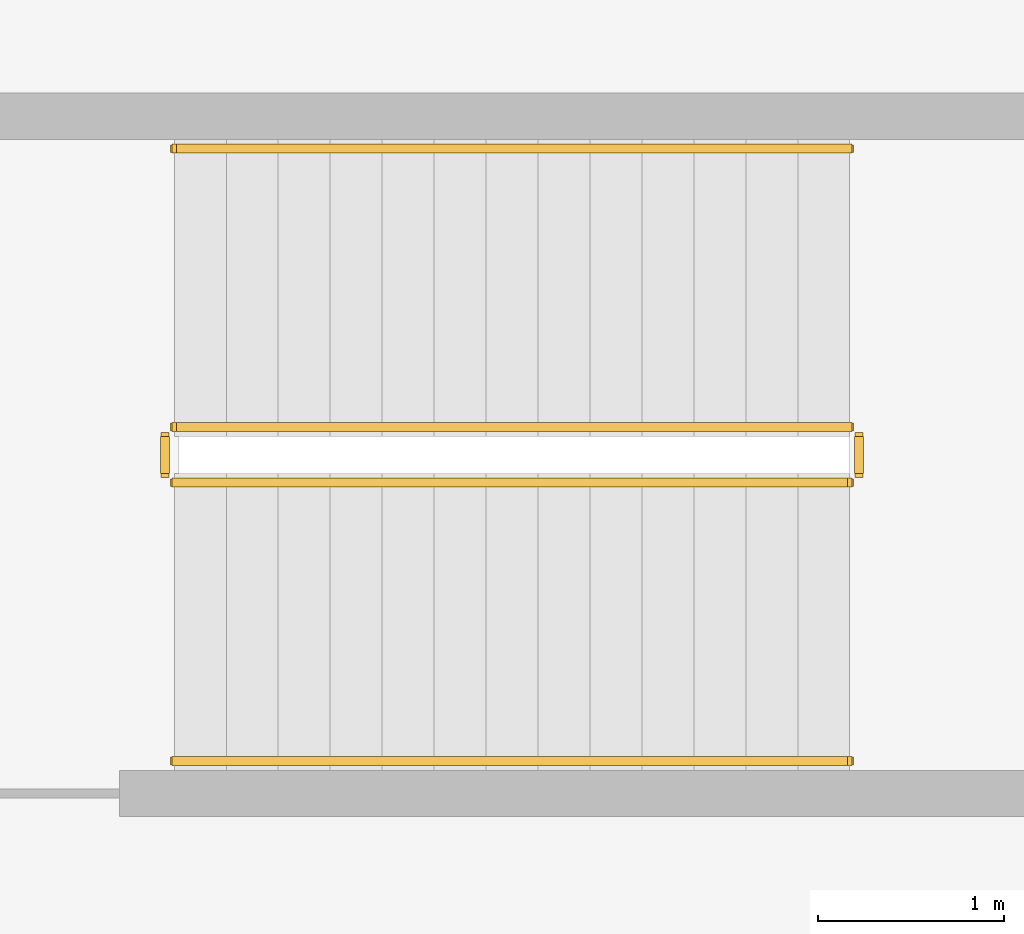
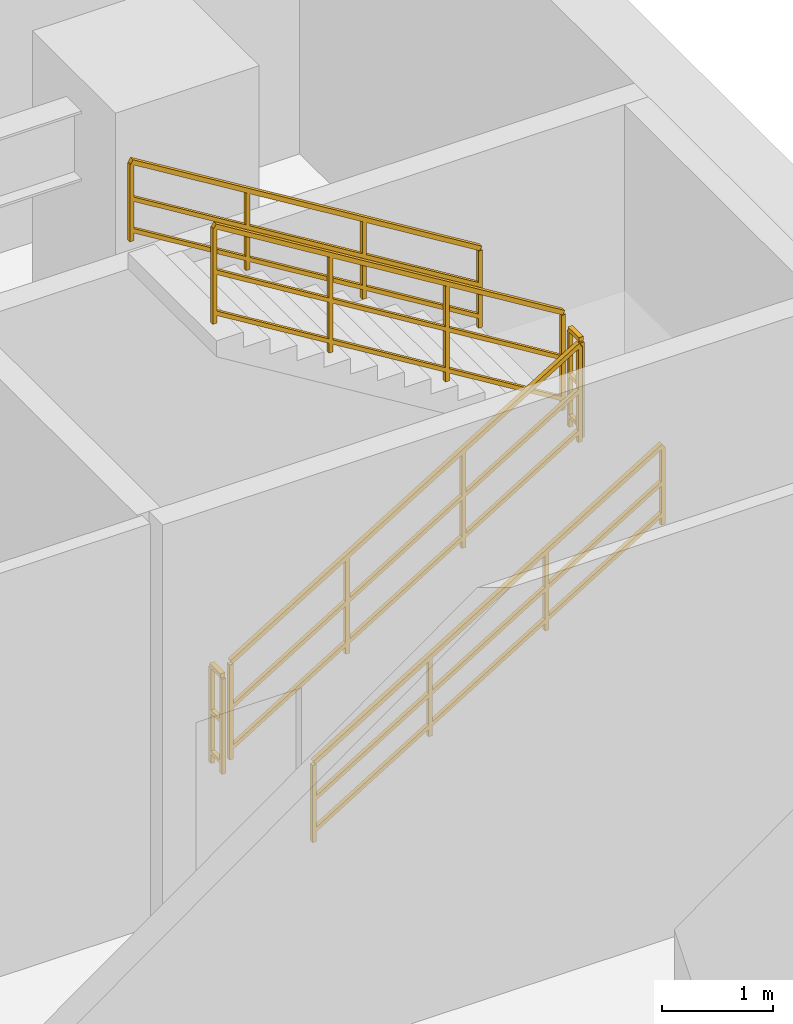
# One storey, part 7 of 7: 6 railings.
"""IFC4 building model written with IfcOpenShell, lengths in metres."""

from ifc_helpers import new_model, si_unit, direction, frame, origin, origin_2d, place, context, subcontext, project, spatial, rectangle, extrude, material, type_object, element, save


model = new_model("IFC4")

# Units and contexts
model_context = context("Model", 3, precision=1e-05, world=origin(), true_north=direction((0.0, 1.0)))
body_context = subcontext(model_context, "Body", "Model", "MODEL_VIEW")
ifc_project = project(units=[si_unit("LENGTHUNIT", "METRE"), si_unit("AREAUNIT", "SQUARE_METRE"), si_unit("VOLUMEUNIT", "CUBIC_METRE"), si_unit("PLANEANGLEUNIT", "RADIAN"), si_unit("MASSUNIT", "GRAM", prefix="KILO")], contexts=[model_context])

# Site, building, storey
site_placement = place(None, origin())
site = spatial("IfcSite", under=ifc_project, at=site_placement, CompositionType="ELEMENT")
building_placement = place(site_placement, origin())
building = spatial("IfcBuilding", under=site, at=building_placement, Name="Zulverin Broadcast Headquarters", CompositionType="ELEMENT")
storey_placement = place(building_placement, frame((0.0, 0.0, -4.800048828125)))
storey = spatial("IfcBuildingStorey", under=building, at=storey_placement, Name="B1", CompositionType="ELEMENT", Elevation=-4.800048828125)

# Railings
ifc_material_1 = material(Name="Painted galvanized steel tubular guardrail S355JR", Category="steel")
railing_type_1 = type_object("IfcRailingType", Name="RL-ST-GUARD", PredefinedType="GUARDRAIL", material=ifc_material_1)
railing_1_placement = place(storey_placement, frame((67.969970703125, 41.64990234375, 0.17138671875)))
element("IfcRailing", 1, at=railing_1_placement, inside=storey, type_object=railing_type_1, Name="B1 ST-4 stair guard 1", PredefinedType="GUARDRAIL", context=body_context, shape_type="SweptSolid", body=[
    extrude(rectangle(XDim=0.048095703125, YDim=0.048095703125, at=origin_2d()), frame((0.0, 0.0, 1.076171875), z_axis=(0.852840387347, 0.0, 0.522171689878), x_axis=(0.0, 1.0, 0.0)), (0.0, 0.0, 1.0), 4.268310546875),
    extrude(rectangle(XDim=0.0419921875, YDim=0.0419921875, at=origin_2d()), frame((0.0, 0.0, 0.572021484375), z_axis=(0.852840387347, 0.0, 0.522171689878), x_axis=(0.0, 1.0, 0.0)), (0.0, 0.0, 1.0), 4.268310546875),
    extrude(rectangle(XDim=0.0419921875, YDim=0.0419921875, at=origin_2d()), frame((0.0, 0.0, 0.1201171875), z_axis=(0.852840387347, 0.0, 0.522171689878), x_axis=(0.0, 1.0, 0.0)), (0.0, 0.0, 1.0), 4.268310546875),
    extrude(rectangle(XDim=0.0419921875, YDim=0.0419921875, at=origin_2d()), origin(), (0.0, 0.0, 1.0), 1.052001953125),
    extrude(rectangle(XDim=0.0419921875, YDim=0.0419921875, at=origin_2d()), frame((1.21337890625, 0.0, 0.742919921875)), (0.0, 0.0, 1.0), 1.052001953125),
    extrude(rectangle(XDim=0.0419921875, YDim=0.0419921875, at=origin_2d()), frame((2.4267578125, 0.0, 1.48583984375)), (0.0, 0.0, 1.0), 1.052001953125),
    extrude(rectangle(XDim=0.0419921875, YDim=0.0419921875, at=origin_2d()), frame((3.64013671875, 0.0, 2.228759765625)), (0.0, 0.0, 1.0), 1.052001953125),
])
railing_2_placement = place(storey_placement, frame((71.659912109375, 41.699951171875, 2.400146484375)))
element("IfcRailing", 2, at=railing_2_placement, inside=storey, type_object=railing_type_1, Name="B1 ST-4 stair guard 2", PredefinedType="GUARDRAIL", context=body_context, shape_type="SweptSolid", body=[
    extrude(rectangle(XDim=0.048095703125, YDim=0.048095703125, at=origin_2d()), frame((0.0, 0.0, 1.076171875), z_axis=(0.0, 1.0, 0.0), x_axis=(-1.0, 0.0, 0.0)), (0.0, 0.0, 1.0), 0.199951171875),
    extrude(rectangle(XDim=0.0419921875, YDim=0.0419921875, at=origin_2d()), frame((0.0, 0.0, 0.572021484375), z_axis=(0.0, 1.0, 0.0), x_axis=(-1.0, 0.0, 0.0)), (0.0, 0.0, 1.0), 0.199951171875),
    extrude(rectangle(XDim=0.0419921875, YDim=0.0419921875, at=origin_2d()), frame((0.0, 0.0, 0.1201171875), z_axis=(0.0, 1.0, 0.0), x_axis=(-1.0, 0.0, 0.0)), (0.0, 0.0, 1.0), 0.199951171875),
    extrude(rectangle(XDim=0.0419921875, YDim=0.0419921875, at=origin_2d()), origin(), (0.0, 0.0, 1.0), 1.052001953125),
    extrude(rectangle(XDim=0.0419921875, YDim=0.0419921875, at=origin_2d()), frame((0.0, 0.199951171875, 0.0)), (0.0, 0.0, 1.0), 1.052001953125),
])
railing_3_placement = place(storey_placement, frame((71.610107421875, 41.949951171875, 2.571533203125)))
element("IfcRailing", 3, at=railing_3_placement, inside=storey, type_object=railing_type_1, Name="B1 ST-4 stair guard 3", PredefinedType="GUARDRAIL", context=body_context, shape_type="SweptSolid", body=[
    extrude(rectangle(XDim=0.048095703125, YDim=0.048095703125, at=origin_2d()), frame((0.0, 0.0, 1.076171875), z_axis=(-0.852865859571, 0.0, 0.52213008492), x_axis=(0.0, -1.0, 0.0)), (0.0, 0.0, 1.0), 4.26806640625),
    extrude(rectangle(XDim=0.0419921875, YDim=0.0419921875, at=origin_2d()), frame((0.0, 0.0, 0.572021484375), z_axis=(-0.852865859571, 0.0, 0.52213008492), x_axis=(0.0, -1.0, 0.0)), (0.0, 0.0, 1.0), 4.26806640625),
    extrude(rectangle(XDim=0.0419921875, YDim=0.0419921875, at=origin_2d()), frame((0.0, 0.0, 0.1201171875), z_axis=(-0.852865859571, 0.0, 0.52213008492), x_axis=(0.0, -1.0, 0.0)), (0.0, 0.0, 1.0), 4.26806640625),
    extrude(rectangle(XDim=0.0419921875, YDim=0.0419921875, at=origin_2d()), origin(), (0.0, 0.0, 1.0), 1.052001953125),
    extrude(rectangle(XDim=0.0419921875, YDim=0.0419921875, at=origin_2d()), frame((-1.21337890625, 0.0, 0.742919921875)), (0.0, 0.0, 1.0), 1.052001953125),
    extrude(rectangle(XDim=0.0419921875, YDim=0.0419921875, at=origin_2d()), frame((-2.4267578125, 0.0, 1.485595703125)), (0.0, 0.0, 1.0), 1.052001953125),
    extrude(rectangle(XDim=0.0419921875, YDim=0.0419921875, at=origin_2d()), frame((-3.64013671875, 0.0, 2.228515625)), (0.0, 0.0, 1.0), 1.052001953125),
])
railing_4_placement = place(storey_placement, frame((67.919921875, 41.699951171875, 0.0)))
element("IfcRailing", 4, at=railing_4_placement, inside=storey, type_object=railing_type_1, Name="B1 ST-4 stair guard 4", PredefinedType="GUARDRAIL", context=body_context, shape_type="SweptSolid", body=[
    extrude(rectangle(XDim=0.048095703125, YDim=0.048095703125, at=origin_2d()), frame((0.0, 0.0, 1.076171875), z_axis=(0.0, 1.0, 0.0), x_axis=(-1.0, 0.0, 0.0)), (0.0, 0.0, 1.0), 0.199951171875),
    extrude(rectangle(XDim=0.0419921875, YDim=0.0419921875, at=origin_2d()), frame((0.0, 0.0, 0.572021484375), z_axis=(0.0, 1.0, 0.0), x_axis=(-1.0, 0.0, 0.0)), (0.0, 0.0, 1.0), 0.199951171875),
    extrude(rectangle(XDim=0.0419921875, YDim=0.0419921875, at=origin_2d()), frame((0.0, 0.0, 0.1201171875), z_axis=(0.0, 1.0, 0.0), x_axis=(-1.0, 0.0, 0.0)), (0.0, 0.0, 1.0), 0.199951171875),
    extrude(rectangle(XDim=0.0419921875, YDim=0.0419921875, at=origin_2d()), origin(), (0.0, 0.0, 1.0), 1.052001953125),
    extrude(rectangle(XDim=0.0419921875, YDim=0.0419921875, at=origin_2d()), frame((0.0, 0.199951171875, 0.0)), (0.0, 0.0, 1.0), 1.052001953125),
])
ifc_material_2 = material(Name="Brushed stainless steel 48 mm handrail", Category="steel")
railing_type_2 = type_object("IfcRailingType", Name="RL-ST-HAND", PredefinedType="HANDRAIL", material=ifc_material_2)
railing_5_placement = place(storey_placement, frame((67.969970703125, 40.14990234375, 0.17138671875)))
element("IfcRailing", 5, at=railing_5_placement, inside=storey, type_object=railing_type_2, Name="B1 ST-4 stair handrail 1", PredefinedType="HANDRAIL", context=body_context, shape_type="SweptSolid", body=[
    extrude(rectangle(XDim=0.048095703125, YDim=0.048095703125, at=origin_2d()), frame((0.0, 0.0, 0.8759765625), z_axis=(0.852840387347, 0.0, 0.522171689878), x_axis=(0.0, 1.0, 0.0)), (0.0, 0.0, 1.0), 4.268310546875),
    extrude(rectangle(XDim=0.0419921875, YDim=0.0419921875, at=origin_2d()), frame((0.0, 0.0, 0.468017578125), z_axis=(0.852840387347, 0.0, 0.522171689878), x_axis=(0.0, 1.0, 0.0)), (0.0, 0.0, 1.0), 4.268310546875),
    extrude(rectangle(XDim=0.0419921875, YDim=0.0419921875, at=origin_2d()), frame((0.0, 0.0, 0.1201171875), z_axis=(0.852840387347, 0.0, 0.522171689878), x_axis=(0.0, 1.0, 0.0)), (0.0, 0.0, 1.0), 4.268310546875),
    extrude(rectangle(XDim=0.0419921875, YDim=0.0419921875, at=origin_2d()), origin(), (0.0, 0.0, 1.0), 0.851806640625),
    extrude(rectangle(XDim=0.0419921875, YDim=0.0419921875, at=origin_2d()), frame((1.21337890625, 0.0, 0.742919921875)), (0.0, 0.0, 1.0), 0.851806640625),
    extrude(rectangle(XDim=0.0419921875, YDim=0.0419921875, at=origin_2d()), frame((2.4267578125, 0.0, 1.48583984375)), (0.0, 0.0, 1.0), 0.851806640625),
    extrude(rectangle(XDim=0.0419921875, YDim=0.0419921875, at=origin_2d()), frame((3.64013671875, 0.0, 2.228759765625)), (0.0, 0.0, 1.0), 0.851806640625),
])
railing_6_placement = place(storey_placement, frame((71.610107421875, 43.449951171875, 2.571533203125)))
element("IfcRailing", 6, at=railing_6_placement, inside=storey, type_object=railing_type_2, Name="B1 ST-4 stair handrail 2", PredefinedType="HANDRAIL", context=body_context, shape_type="SweptSolid", body=[
    extrude(rectangle(XDim=0.048095703125, YDim=0.048095703125, at=origin_2d()), frame((0.0, 0.0, 0.8759765625), z_axis=(-0.852865859571, 0.0, 0.52213008492), x_axis=(0.0, -1.0, 0.0)), (0.0, 0.0, 1.0), 4.26806640625),
    extrude(rectangle(XDim=0.0419921875, YDim=0.0419921875, at=origin_2d()), frame((0.0, 0.0, 0.468017578125), z_axis=(-0.852865859571, 0.0, 0.52213008492), x_axis=(0.0, -1.0, 0.0)), (0.0, 0.0, 1.0), 4.26806640625),
    extrude(rectangle(XDim=0.0419921875, YDim=0.0419921875, at=origin_2d()), frame((0.0, 0.0, 0.1201171875), z_axis=(-0.852865859571, 0.0, 0.52213008492), x_axis=(0.0, -1.0, 0.0)), (0.0, 0.0, 1.0), 4.26806640625),
    extrude(rectangle(XDim=0.0419921875, YDim=0.0419921875, at=origin_2d()), origin(), (0.0, 0.0, 1.0), 0.851806640625),
    extrude(rectangle(XDim=0.0419921875, YDim=0.0419921875, at=origin_2d()), frame((-1.21337890625, 0.0, 0.742919921875)), (0.0, 0.0, 1.0), 0.851806640625),
    extrude(rectangle(XDim=0.0419921875, YDim=0.0419921875, at=origin_2d()), frame((-2.4267578125, 0.0, 1.485595703125)), (0.0, 0.0, 1.0), 0.851806640625),
    extrude(rectangle(XDim=0.0419921875, YDim=0.0419921875, at=origin_2d()), frame((-3.64013671875, 0.0, 2.228515625)), (0.0, 0.0, 1.0), 0.851806640625),
])

save(model, "model.ifc")
